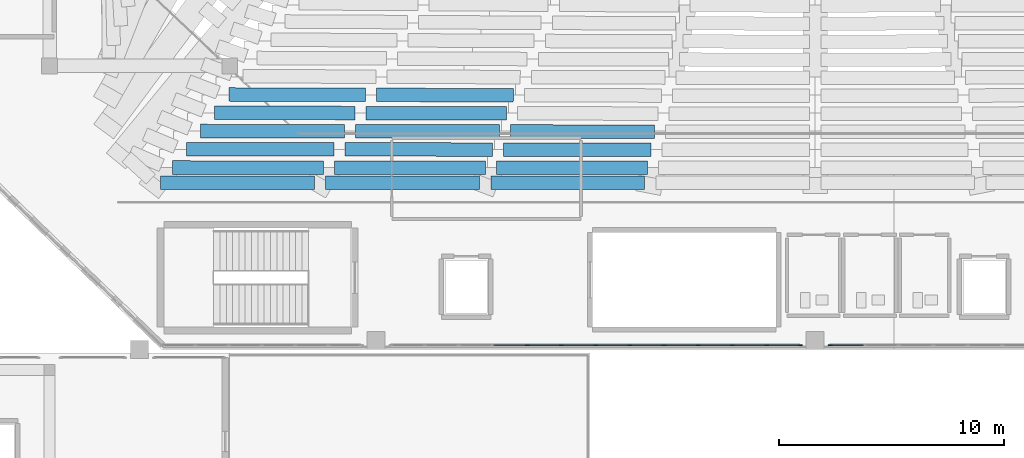
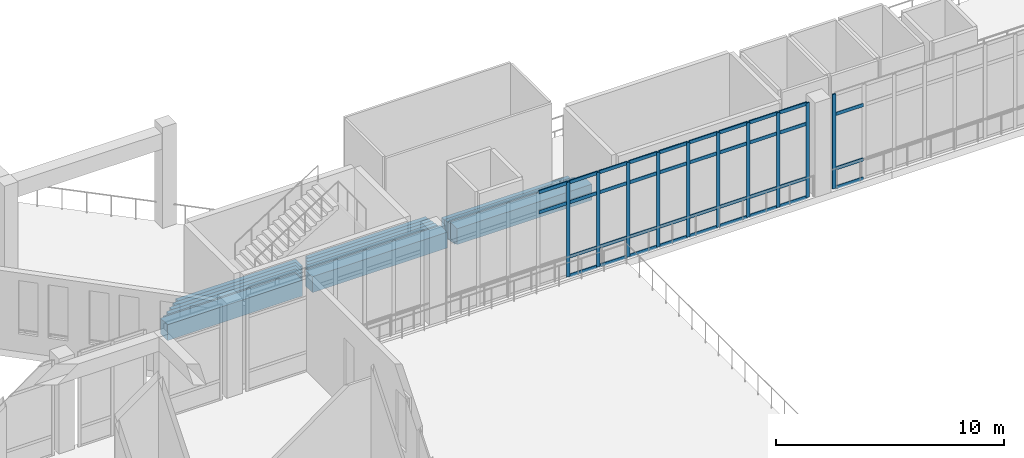
# One storey, part 7 of 55: 47 members, 16 beams, 2 elements without a shape of their own.
"""IFC4 building model written with IfcOpenShell, lengths in metres."""

from ifc_helpers import new_model, si_unit, derived_unit, direction, frame, origin, origin_2d, place, context, subcontext, project, spatial, rectangle, extrude, material, layer, layer_set, material_profile, profile_set, type_object, element, aggregate, save


model = new_model("IFC4")

# Units and contexts
model_context = context("Model", 3, precision=1e-05, world=origin(), true_north=direction((0.0, 1.0)))
body_context = subcontext(model_context, "Body", "Model", "MODEL_VIEW")
ifc_project = project(units=[si_unit("LENGTHUNIT", "METRE"), si_unit("AREAUNIT", "SQUARE_METRE"), si_unit("VOLUMEUNIT", "CUBIC_METRE"), si_unit("PLANEANGLEUNIT", "RADIAN"), si_unit("MASSUNIT", "GRAM", prefix="KILO"), derived_unit("THERMALTRANSMITTANCEUNIT", [(si_unit("MASSUNIT", "GRAM", prefix="KILO"), 1), (si_unit("TIMEUNIT", "SECOND"), -3), (si_unit("THERMODYNAMICTEMPERATUREUNIT", "KELVIN"), -1)])], contexts=[model_context])

# Site, building, storey
site_placement = place(None, origin())
site = spatial("IfcSite", under=ifc_project, at=site_placement, CompositionType="ELEMENT")
building_placement = place(site_placement, origin())
building = spatial("IfcBuilding", under=site, at=building_placement, Name="Valcora Ridge Arena", CompositionType="ELEMENT")
storey_placement = place(building_placement, frame((0.0, 0.0, 21.0)))
storey = spatial("IfcBuildingStorey", under=building, at=storey_placement, Name="L04", CompositionType="ELEMENT", Elevation=21.0)

# Beams
ifc_material_1 = material(Name="Concrete C40/50", Category="concrete")
ifc_material_profile_1 = material_profile(ifc_material_1, rectangle(XDim=0.60009765625, YDim=0.85009765625, at=origin_2d()), Name="RC 600x850")
ifc_profile_set_1 = profile_set([ifc_material_profile_1], Name="Concrete C40/50")
beam_type = type_object("IfcBeamType", Name="TY-BEAM-B-RC600-X", PredefinedType="BEAM", material=ifc_profile_set_1)
beam_1_placement = place(storey_placement, frame((31.961181640625, 31.332275390625, -3.905029296875), z_axis=(0.999996573576, -0.002617792077, 0.0), x_axis=(0.002617792077, 0.999996573576, 0.0)))
element("IfcBeam", 1, at=beam_1_placement, inside=storey, type_object=beam_type, Name="B-RC600-X BEM-RU3-B-RC600-X-0368", PredefinedType="BEAM", context=body_context, shape_type="SweptSolid", body=[
    extrude(rectangle(XDim=0.60009765625, YDim=0.85009765625, at=origin_2d()), origin(), (0.0, 0.0, 1.0), 6.06201171875),
])
beam_2_placement = place(storey_placement, frame((38.523193359375, 31.31494140625, -3.905029296875), z_axis=(0.999996581566, -0.002614738236, 0.0), x_axis=(0.002614738236, 0.999996581566, 0.0)))
element("IfcBeam", 2, at=beam_2_placement, inside=storey, type_object=beam_type, Name="B-RC600-X BEM-RU3-B-RC600-X-0369", PredefinedType="BEAM", context=body_context, shape_type="SweptSolid", body=[
    extrude(rectangle(XDim=0.60009765625, YDim=0.85009765625, at=origin_2d()), origin(), (0.0, 0.0, 1.0), 6.069091796875),
])
beam_3_placement = place(storey_placement, frame((31.335693359375, 30.521728515625, -3.425048828125), z_axis=(0.999997836676, -0.002080058294, 0.0), x_axis=(0.002080058294, 0.999997836676, 0.0)))
element("IfcBeam", 3, at=beam_3_placement, inside=storey, type_object=beam_type, Name="B-RC600-X BEM-RU3-B-RC600-X-0398", PredefinedType="BEAM", context=body_context, shape_type="SweptSolid", body=[
    extrude(rectangle(XDim=0.60009765625, YDim=0.85009765625, at=origin_2d()), origin(), (0.0, 0.0, 1.0), 6.220703125),
])
beam_4_placement = place(storey_placement, frame((38.056396484375, 30.5078125, -3.425048828125), z_axis=(0.999997920969, -0.002039131481, 0.0), x_axis=(0.002039131481, 0.999997920969, 0.0)))
element("IfcBeam", 4, at=beam_4_placement, inside=storey, type_object=beam_type, Name="B-RC600-X BEM-RU3-B-RC600-X-0399", PredefinedType="BEAM", context=body_context, shape_type="SweptSolid", body=[
    extrude(rectangle(XDim=0.60009765625, YDim=0.85009765625, at=origin_2d()), origin(), (0.0, 0.0, 1.0), 6.225830078125),
])
beam_5_placement = place(storey_placement, frame((30.71044921875, 29.711181640625, -2.945068359375), z_axis=(0.999998885998, -0.001492649899, 0.0), x_axis=(0.001492649899, 0.999998885998, 0.0)))
element("IfcBeam", 5, at=beam_5_placement, inside=storey, type_object=beam_type, Name="B-RC600-X BEM-RU3-B-RC600-X-0430", PredefinedType="BEAM", context=body_context, shape_type="SweptSolid", body=[
    extrude(rectangle(XDim=0.60009765625, YDim=0.85009765625, at=origin_2d()), origin(), (0.0, 0.0, 1.0), 6.37890625),
])
beam_6_placement = place(storey_placement, frame((37.58935546875, 29.700927734375, -2.945068359375), z_axis=(0.999998887361, -0.001491736406, 0.0), x_axis=(0.001491736406, 0.999998887361, 0.0)))
element("IfcBeam", 6, at=beam_6_placement, inside=storey, type_object=beam_type, Name="B-RC600-X BEM-RU3-B-RC600-X-0431", PredefinedType="BEAM", context=body_context, shape_type="SweptSolid", body=[
    extrude(rectangle(XDim=0.60009765625, YDim=0.85009765625, at=origin_2d()), origin(), (0.0, 0.0, 1.0), 6.3828125),
])
beam_7_placement = place(storey_placement, frame((44.47216796875, 29.690673828125, -2.945068359375), z_axis=(0.999999342589, -0.00114665674, 0.0), x_axis=(0.00114665674, 0.999999342589, 0.0)))
element("IfcBeam", 7, at=beam_7_placement, inside=storey, type_object=beam_type, Name="B-RC600-X BEM-RU3-B-RC600-X-0432", PredefinedType="BEAM", context=body_context, shape_type="SweptSolid", body=[
    extrude(rectangle(XDim=0.60009765625, YDim=0.85009765625, at=origin_2d()), origin(), (0.0, 0.0, 1.0), 6.387451171875),
])
beam_8_placement = place(storey_placement, frame((30.085205078125, 28.90087890625, -2.465087890625), z_axis=(0.9999994916, -0.001008365188, 0.0), x_axis=(0.001008365188, 0.9999994916, 0.0)))
element("IfcBeam", 8, at=beam_8_placement, inside=storey, type_object=beam_type, Name="B-RC600-X BEM-RU3-B-RC600-X-0462", PredefinedType="BEAM", context=body_context, shape_type="SweptSolid", body=[
    extrude(rectangle(XDim=0.60009765625, YDim=0.85009765625, at=origin_2d()), origin(), (0.0, 0.0, 1.0), 6.537109375),
])
beam_9_placement = place(storey_placement, frame((37.122314453125, 28.893798828125, -2.465087890625), z_axis=(0.999999528949, -0.00097061962, 0.0), x_axis=(0.00097061962, 0.999999528949, 0.0)))
element("IfcBeam", 9, at=beam_9_placement, inside=storey, type_object=beam_type, Name="B-RC600-X BEM-RU3-B-RC600-X-0463", PredefinedType="BEAM", context=body_context, shape_type="SweptSolid", body=[
    extrude(rectangle(XDim=0.60009765625, YDim=0.85009765625, at=origin_2d()), origin(), (0.0, 0.0, 1.0), 6.539794921875),
])
beam_10_placement = place(storey_placement, frame((44.162109375, 28.88720703125, -2.465087890625), z_axis=(0.999999693, -0.000783581849, 0.0), x_axis=(0.000783581849, 0.999999693, 0.0)))
element("IfcBeam", 10, at=beam_10_placement, inside=storey, type_object=beam_type, Name="B-RC600-X BEM-RU3-B-RC600-X-0464", PredefinedType="BEAM", context=body_context, shape_type="SweptSolid", body=[
    extrude(rectangle(XDim=0.60009765625, YDim=0.85009765625, at=origin_2d()), origin(), (0.0, 0.0, 1.0), 6.54296875),
])
beam_11_placement = place(storey_placement, frame((29.459716796875, 28.09033203125, -1.985107421875), z_axis=(0.999999887653, -0.000474020001, 0.0), x_axis=(0.000474020001, 0.999999887653, 0.0)))
element("IfcBeam", 11, at=beam_11_placement, inside=storey, type_object=beam_type, Name="B-RC600-X BEM-RU3-B-RC600-X-0494", PredefinedType="BEAM", context=body_context, shape_type="SweptSolid", body=[
    extrude(rectangle(XDim=0.60009765625, YDim=0.85009765625, at=origin_2d()), origin(), (0.0, 0.0, 1.0), 6.695556640625),
])
beam_12_placement = place(storey_placement, frame((36.6552734375, 28.0869140625, -1.985107421875), z_axis=(0.999999887702, -0.000473916319, 0.0), x_axis=(0.000473916319, 0.999999887702, 0.0)))
element("IfcBeam", 12, at=beam_12_placement, inside=storey, type_object=beam_type, Name="B-RC600-X BEM-RU3-B-RC600-X-0495", PredefinedType="BEAM", context=body_context, shape_type="SweptSolid", body=[
    extrude(rectangle(XDim=0.60009765625, YDim=0.85009765625, at=origin_2d()), origin(), (0.0, 0.0, 1.0), 6.697021484375),
])
beam_13_placement = place(storey_placement, frame((43.852294921875, 28.08349609375, -1.985107421875), z_axis=(0.999999933575, -0.000364484595, 0.0), x_axis=(0.000364484595, 0.999999933575, 0.0)))
element("IfcBeam", 13, at=beam_13_placement, inside=storey, type_object=beam_type, Name="B-RC600-X BEM-RU3-B-RC600-X-0496", PredefinedType="BEAM", context=body_context, shape_type="SweptSolid", body=[
    extrude(rectangle(XDim=0.60009765625, YDim=0.85009765625, at=origin_2d()), origin(), (0.0, 0.0, 1.0), 6.6982421875),
])
beam_14_placement = place(storey_placement, frame((28.93115234375, 27.4052734375, -1.5048828125), z_axis=(0.999999892081, 0.000464584326, 0.0), x_axis=(-0.000464584326, 0.999999892081, 0.0)))
element("IfcBeam", 14, at=beam_14_placement, inside=storey, type_object=beam_type, Name="B-RC600-X BEM-RU3-B-RC600-X-0526", PredefinedType="BEAM", context=body_context, shape_type="SweptSolid", body=[
    extrude(rectangle(XDim=0.60009765625, YDim=0.85009765625, at=origin_2d()), origin(), (0.0, 0.0, 1.0), 6.83154296875),
])
beam_15_placement = place(storey_placement, frame((36.2626953125, 27.40869140625, -1.5048828125), z_axis=(0.999999922705, 0.000393180082, 0.0), x_axis=(-0.000393180082, 0.999999922705, 0.0)))
element("IfcBeam", 15, at=beam_15_placement, inside=storey, type_object=beam_type, Name="B-RC600-X BEM-RU3-B-RC600-X-0527", PredefinedType="BEAM", context=body_context, shape_type="SweptSolid", body=[
    extrude(rectangle(XDim=0.60009765625, YDim=0.85009765625, at=origin_2d()), origin(), (0.0, 0.0, 1.0), 6.830322265625),
])
beam_16_placement = place(storey_placement, frame((43.593017578125, 27.41162109375, -1.5048828125), z_axis=(0.999999959099, 0.000286010499, 0.0), x_axis=(-0.000286010499, 0.999999959099, 0.0)))
element("IfcBeam", 16, at=beam_16_placement, inside=storey, type_object=beam_type, Name="B-RC600-X BEM-RU3-B-RC600-X-0528", PredefinedType="BEAM", context=body_context, shape_type="SweptSolid", body=[
    extrude(rectangle(XDim=0.60009765625, YDim=0.85009765625, at=origin_2d()), origin(), (0.0, 0.0, 1.0), 6.828857421875),
])

# Curtain wall, members
ifc_material_2 = material(Name="Anodised dark bronze architectural aluminium 6063-T6", Category="aluminium")
ifc_layer_1 = layer(ifc_material_2, 0.179931640625, Name="Anodised dark bronze architectural aluminium 6063-T6")
ifc_layer_set_1 = layer_set([ifc_layer_1], Name="Anodised dark bronze architectural aluminium 6063-T6")
curtain_wall_type_1 = type_object("IfcCurtainWallType", Name="TY-CURTAINWALL-CW-V1-GOTH-182X51", PredefinedType="NOTDEFINED", material=ifc_layer_set_1)
curtain_wall_1_placement = place(storey_placement, origin())
curtain_wall_1 = element("IfcCurtainWall", 17, at=curtain_wall_1_placement, inside=storey, type_object=curtain_wall_type_1, Name="CW-V1-GOTH-182X51 CW-0154", PredefinedType="NOTDEFINED")
ifc_material_profile_2 = material_profile(ifc_material_2, rectangle(XDim=0.06005859375, YDim=0.179931640625, at=origin_2d()), Name="ALU MULLION 60x180")
ifc_profile_set_2 = profile_set([ifc_material_profile_2], Name="Anodised dark bronze architectural aluminium 6063-T6")
member_type_1 = type_object("IfcMemberType", Name="TY-MEM-CWM-60x180", PredefinedType="MULLION", material=ifc_profile_set_2)
member_1_placement = place(storey_placement, frame((45.21337890625, 20.199951171875, 0.0), z_axis=(0.0, 0.0, 1.0), x_axis=(0.0, 1.0, 0.0)))
member_1 = element("IfcMember", 18, at=member_1_placement, type_object=member_type_1, Name="CW-0154/CWM-60x180/M04", PredefinedType="MULLION", context=body_context, shape_type="SweptSolid", body=[
    extrude(rectangle(XDim=0.06005859375, YDim=0.179931640625, at=origin_2d()), origin(), (0.0, 0.0, 1.0), 5.06005859375),
])
member_2_placement = place(storey_placement, frame((46.731689453125, 20.199951171875, 0.0), z_axis=(0.0, 0.0, 1.0), x_axis=(0.0, 1.0, 0.0)))
member_2 = element("IfcMember", 19, at=member_2_placement, type_object=member_type_1, Name="CW-0154/CWM-60x180/M05", PredefinedType="MULLION", context=body_context, shape_type="SweptSolid", body=[
    extrude(rectangle(XDim=0.06005859375, YDim=0.179931640625, at=origin_2d()), origin(), (0.0, 0.0, 1.0), 5.06005859375),
])
member_3_placement = place(storey_placement, frame((48.25, 20.199951171875, 0.0), z_axis=(0.0, 0.0, 1.0), x_axis=(0.0, 1.0, 0.0)))
member_3 = element("IfcMember", 20, at=member_3_placement, type_object=member_type_1, Name="CW-0154/CWM-60x180/M06", PredefinedType="MULLION", context=body_context, shape_type="SweptSolid", body=[
    extrude(rectangle(XDim=0.06005859375, YDim=0.179931640625, at=origin_2d()), origin(), (0.0, 0.0, 1.0), 5.06005859375),
])
member_4_placement = place(storey_placement, frame((49.768310546875, 20.199951171875, 0.0), z_axis=(0.0, 0.0, 1.0), x_axis=(0.0, 1.0, 0.0)))
member_4 = element("IfcMember", 21, at=member_4_placement, type_object=member_type_1, Name="CW-0154/CWM-60x180/M07", PredefinedType="MULLION", context=body_context, shape_type="SweptSolid", body=[
    extrude(rectangle(XDim=0.06005859375, YDim=0.179931640625, at=origin_2d()), origin(), (0.0, 0.0, 1.0), 5.06005859375),
])
member_5_placement = place(storey_placement, frame((51.28662109375, 20.199951171875, 0.0), z_axis=(0.0, 0.0, 1.0), x_axis=(0.0, 1.0, 0.0)))
member_5 = element("IfcMember", 22, at=member_5_placement, type_object=member_type_1, Name="CW-0154/CWM-60x180/M08", PredefinedType="MULLION", context=body_context, shape_type="SweptSolid", body=[
    extrude(rectangle(XDim=0.06005859375, YDim=0.179931640625, at=origin_2d()), origin(), (0.0, 0.0, 1.0), 5.06005859375),
])
member_6_placement = place(storey_placement, frame((52.804931640625, 20.199951171875, 0.0), z_axis=(0.0, 0.0, 1.0), x_axis=(0.0, 1.0, 0.0)))
member_6 = element("IfcMember", 23, at=member_6_placement, type_object=member_type_1, Name="CW-0154/CWM-60x180/M09", PredefinedType="MULLION", context=body_context, shape_type="SweptSolid", body=[
    extrude(rectangle(XDim=0.06005859375, YDim=0.179931640625, at=origin_2d()), origin(), (0.0, 0.0, 1.0), 5.06005859375),
])
member_7_placement = place(storey_placement, frame((54.3232421875, 20.199951171875, 0.0), z_axis=(0.0, 0.0, 1.0), x_axis=(0.0, 1.0, 0.0)))
member_7 = element("IfcMember", 24, at=member_7_placement, type_object=member_type_1, Name="CW-0154/CWM-60x180/M10", PredefinedType="MULLION", context=body_context, shape_type="SweptSolid", body=[
    extrude(rectangle(XDim=0.06005859375, YDim=0.179931640625, at=origin_2d()), origin(), (0.0, 0.0, 1.0), 5.06005859375),
])
member_8_placement = place(storey_placement, frame((55.841796875, 20.199951171875, 0.0), z_axis=(0.0, 0.0, 1.0), x_axis=(0.0, 1.0, 0.0)))
member_8 = element("IfcMember", 25, at=member_8_placement, type_object=member_type_1, Name="CW-0154/CWM-60x180/M11", PredefinedType="MULLION", context=body_context, shape_type="SweptSolid", body=[
    extrude(rectangle(XDim=0.06005859375, YDim=0.179931640625, at=origin_2d()), origin(), (0.0, 0.0, 1.0), 5.06005859375),
])
member_9_placement = place(storey_placement, frame((57.330078125, 20.199951171875, 0.0), z_axis=(0.0, 0.0, 1.0), x_axis=(0.0, 1.0, 0.0)))
member_9 = element("IfcMember", 26, at=member_9_placement, type_object=member_type_1, Name="CW-0154/CWM-60x180/M12", PredefinedType="MULLION", context=body_context, shape_type="SweptSolid", body=[
    extrude(rectangle(XDim=0.06005859375, YDim=0.179931640625, at=origin_2d()), origin(), (0.0, 0.0, 1.0), 5.06005859375),
])

# Curtain wall, member
ifc_layer_2 = layer(ifc_material_2, 0.179931640625, Name="Anodised dark bronze architectural aluminium 6063-T6")
ifc_layer_set_2 = layer_set([ifc_layer_2], Name="Anodised dark bronze architectural aluminium 6063-T6")
curtain_wall_type_2 = type_object("IfcCurtainWallType", Name="TY-CURTAINWALL-CW-V1-GOTH-107X51", PredefinedType="NOTDEFINED", material=ifc_layer_set_2)
curtain_wall_2_placement = place(storey_placement, origin())
curtain_wall_2 = element("IfcCurtainWall", 27, at=curtain_wall_2_placement, inside=storey, type_object=curtain_wall_type_2, Name="CW-V1-GOTH-107X51 CW-0155", PredefinedType="NOTDEFINED")
member_10_placement = place(storey_placement, frame((58.669921875, 20.199951171875, 0.0), z_axis=(0.0, 0.0, 1.0), x_axis=(0.0, 1.0, 0.0)))
member_10 = element("IfcMember", 28, at=member_10_placement, type_object=member_type_1, Name="CW-0155/CWM-60x180/M00", PredefinedType="MULLION", context=body_context, shape_type="SweptSolid", body=[
    extrude(rectangle(XDim=0.06005859375, YDim=0.179931640625, at=origin_2d()), origin(), (0.0, 0.0, 1.0), 5.06005859375),
])

# Member
ifc_material_profile_3 = material_profile(ifc_material_2, rectangle(XDim=0.06005859375, YDim=0.179931640625, at=origin_2d()), Name="ALU TRANSOM 60x180")
ifc_profile_set_3 = profile_set([ifc_material_profile_3], Name="Anodised dark bronze architectural aluminium 6063-T6")
member_type_2 = type_object("IfcMemberType", Name="TY-MEM-CWT-60x180", PredefinedType="USERDEFINED", material=ifc_profile_set_3)
member_11_placement = place(storey_placement, frame((43.72509765625, 20.199951171875, 3.9599609375), z_axis=(1.0, 0.0, 0.0), x_axis=(0.0, 1.0, 0.0)))
member_11 = element("IfcMember", 29, at=member_11_placement, type_object=member_type_2, Name="CW-0154/CWT-60x180/T03-02", ObjectType="TRANSOM", PredefinedType="USERDEFINED", context=body_context, shape_type="SweptSolid", body=[
    extrude(rectangle(XDim=0.06005859375, YDim=0.179931640625, at=origin_2d()), origin(), (0.0, 0.0, 1.0), 1.4580078125),
])

member_12_placement = place(storey_placement, frame((43.72509765625, 20.199951171875, 5.030029296875), z_axis=(1.0, 0.0, 0.0), x_axis=(0.0, 1.0, 0.0)))
member_12 = element("IfcMember", 30, at=member_12_placement, type_object=member_type_2, Name="CW-0154/CWT-60x180/T03-03", ObjectType="TRANSOM", PredefinedType="USERDEFINED", context=body_context, shape_type="SweptSolid", body=[
    extrude(rectangle(XDim=0.06005859375, YDim=0.179931640625, at=origin_2d()), origin(), (0.0, 0.0, 1.0), 1.4580078125),
])

member_13_placement = place(storey_placement, frame((45.242919921875, 20.199951171875, 0.030029296875), z_axis=(1.0, 0.0, 0.0), x_axis=(0.0, 1.0, 0.0)))
member_13 = element("IfcMember", 31, at=member_13_placement, type_object=member_type_2, Name="CW-0154/CWT-60x180/T04-00", ObjectType="TRANSOM", PredefinedType="USERDEFINED", context=body_context, shape_type="SweptSolid", body=[
    extrude(rectangle(XDim=0.06005859375, YDim=0.179931640625, at=origin_2d()), origin(), (0.0, 0.0, 1.0), 1.458984375),
])

member_14_placement = place(storey_placement, frame((45.242919921875, 20.199951171875, 1.050048828125), z_axis=(1.0, 0.0, 0.0), x_axis=(0.0, 1.0, 0.0)))
member_14 = element("IfcMember", 32, at=member_14_placement, type_object=member_type_2, Name="CW-0154/CWT-60x180/T04-01", ObjectType="TRANSOM", PredefinedType="USERDEFINED", context=body_context, shape_type="SweptSolid", body=[
    extrude(rectangle(XDim=0.06005859375, YDim=0.179931640625, at=origin_2d()), origin(), (0.0, 0.0, 1.0), 1.458984375),
])

member_15_placement = place(storey_placement, frame((45.242919921875, 20.199951171875, 3.9599609375), z_axis=(1.0, 0.0, 0.0), x_axis=(0.0, 1.0, 0.0)))
member_15 = element("IfcMember", 33, at=member_15_placement, type_object=member_type_2, Name="CW-0154/CWT-60x180/T04-02", ObjectType="TRANSOM", PredefinedType="USERDEFINED", context=body_context, shape_type="SweptSolid", body=[
    extrude(rectangle(XDim=0.06005859375, YDim=0.179931640625, at=origin_2d()), origin(), (0.0, 0.0, 1.0), 1.458984375),
])

member_16_placement = place(storey_placement, frame((45.242919921875, 20.199951171875, 5.030029296875), z_axis=(1.0, 0.0, 0.0), x_axis=(0.0, 1.0, 0.0)))
member_16 = element("IfcMember", 34, at=member_16_placement, type_object=member_type_2, Name="CW-0154/CWT-60x180/T04-03", ObjectType="TRANSOM", PredefinedType="USERDEFINED", context=body_context, shape_type="SweptSolid", body=[
    extrude(rectangle(XDim=0.06005859375, YDim=0.179931640625, at=origin_2d()), origin(), (0.0, 0.0, 1.0), 1.458984375),
])

member_17_placement = place(storey_placement, frame((46.761962890625, 20.199951171875, 0.030029296875), z_axis=(1.0, 0.0, 0.0), x_axis=(0.0, 1.0, 0.0)))
member_17 = element("IfcMember", 35, at=member_17_placement, type_object=member_type_2, Name="CW-0154/CWT-60x180/T05-00", ObjectType="TRANSOM", PredefinedType="USERDEFINED", context=body_context, shape_type="SweptSolid", body=[
    extrude(rectangle(XDim=0.06005859375, YDim=0.179931640625, at=origin_2d()), origin(), (0.0, 0.0, 1.0), 1.4580078125),
])

member_18_placement = place(storey_placement, frame((46.761962890625, 20.199951171875, 1.050048828125), z_axis=(1.0, 0.0, 0.0), x_axis=(0.0, 1.0, 0.0)))
member_18 = element("IfcMember", 36, at=member_18_placement, type_object=member_type_2, Name="CW-0154/CWT-60x180/T05-01", ObjectType="TRANSOM", PredefinedType="USERDEFINED", context=body_context, shape_type="SweptSolid", body=[
    extrude(rectangle(XDim=0.06005859375, YDim=0.179931640625, at=origin_2d()), origin(), (0.0, 0.0, 1.0), 1.4580078125),
])

member_19_placement = place(storey_placement, frame((46.761962890625, 20.199951171875, 3.9599609375), z_axis=(1.0, 0.0, 0.0), x_axis=(0.0, 1.0, 0.0)))
member_19 = element("IfcMember", 37, at=member_19_placement, type_object=member_type_2, Name="CW-0154/CWT-60x180/T05-02", ObjectType="TRANSOM", PredefinedType="USERDEFINED", context=body_context, shape_type="SweptSolid", body=[
    extrude(rectangle(XDim=0.06005859375, YDim=0.179931640625, at=origin_2d()), origin(), (0.0, 0.0, 1.0), 1.4580078125),
])

member_20_placement = place(storey_placement, frame((46.761962890625, 20.199951171875, 5.030029296875), z_axis=(1.0, 0.0, 0.0), x_axis=(0.0, 1.0, 0.0)))
member_20 = element("IfcMember", 38, at=member_20_placement, type_object=member_type_2, Name="CW-0154/CWT-60x180/T05-03", ObjectType="TRANSOM", PredefinedType="USERDEFINED", context=body_context, shape_type="SweptSolid", body=[
    extrude(rectangle(XDim=0.06005859375, YDim=0.179931640625, at=origin_2d()), origin(), (0.0, 0.0, 1.0), 1.4580078125),
])

member_21_placement = place(storey_placement, frame((48.280029296875, 20.199951171875, 0.030029296875), z_axis=(1.0, 0.0, 0.0), x_axis=(0.0, 1.0, 0.0)))
member_21 = element("IfcMember", 39, at=member_21_placement, type_object=member_type_2, Name="CW-0154/CWT-60x180/T06-00", ObjectType="TRANSOM", PredefinedType="USERDEFINED", context=body_context, shape_type="SweptSolid", body=[
    extrude(rectangle(XDim=0.06005859375, YDim=0.179931640625, at=origin_2d()), origin(), (0.0, 0.0, 1.0), 1.4580078125),
])

member_22_placement = place(storey_placement, frame((48.280029296875, 20.199951171875, 1.050048828125), z_axis=(1.0, 0.0, 0.0), x_axis=(0.0, 1.0, 0.0)))
member_22 = element("IfcMember", 40, at=member_22_placement, type_object=member_type_2, Name="CW-0154/CWT-60x180/T06-01", ObjectType="TRANSOM", PredefinedType="USERDEFINED", context=body_context, shape_type="SweptSolid", body=[
    extrude(rectangle(XDim=0.06005859375, YDim=0.179931640625, at=origin_2d()), origin(), (0.0, 0.0, 1.0), 1.4580078125),
])

member_23_placement = place(storey_placement, frame((48.280029296875, 20.199951171875, 3.9599609375), z_axis=(1.0, 0.0, 0.0), x_axis=(0.0, 1.0, 0.0)))
member_23 = element("IfcMember", 41, at=member_23_placement, type_object=member_type_2, Name="CW-0154/CWT-60x180/T06-02", ObjectType="TRANSOM", PredefinedType="USERDEFINED", context=body_context, shape_type="SweptSolid", body=[
    extrude(rectangle(XDim=0.06005859375, YDim=0.179931640625, at=origin_2d()), origin(), (0.0, 0.0, 1.0), 1.4580078125),
])

member_24_placement = place(storey_placement, frame((48.280029296875, 20.199951171875, 5.030029296875), z_axis=(1.0, 0.0, 0.0), x_axis=(0.0, 1.0, 0.0)))
member_24 = element("IfcMember", 42, at=member_24_placement, type_object=member_type_2, Name="CW-0154/CWT-60x180/T06-03", ObjectType="TRANSOM", PredefinedType="USERDEFINED", context=body_context, shape_type="SweptSolid", body=[
    extrude(rectangle(XDim=0.06005859375, YDim=0.179931640625, at=origin_2d()), origin(), (0.0, 0.0, 1.0), 1.4580078125),
])

member_25_placement = place(storey_placement, frame((49.798095703125, 20.199951171875, 0.030029296875), z_axis=(1.0, 0.0, 0.0), x_axis=(0.0, 1.0, 0.0)))
member_25 = element("IfcMember", 43, at=member_25_placement, type_object=member_type_2, Name="CW-0154/CWT-60x180/T07-00", ObjectType="TRANSOM", PredefinedType="USERDEFINED", context=body_context, shape_type="SweptSolid", body=[
    extrude(rectangle(XDim=0.06005859375, YDim=0.179931640625, at=origin_2d()), origin(), (0.0, 0.0, 1.0), 1.458984375),
])

member_26_placement = place(storey_placement, frame((49.798095703125, 20.199951171875, 1.050048828125), z_axis=(1.0, 0.0, 0.0), x_axis=(0.0, 1.0, 0.0)))
member_26 = element("IfcMember", 44, at=member_26_placement, type_object=member_type_2, Name="CW-0154/CWT-60x180/T07-01", ObjectType="TRANSOM", PredefinedType="USERDEFINED", context=body_context, shape_type="SweptSolid", body=[
    extrude(rectangle(XDim=0.06005859375, YDim=0.179931640625, at=origin_2d()), origin(), (0.0, 0.0, 1.0), 1.458984375),
])

member_27_placement = place(storey_placement, frame((49.798095703125, 20.199951171875, 3.9599609375), z_axis=(1.0, 0.0, 0.0), x_axis=(0.0, 1.0, 0.0)))
member_27 = element("IfcMember", 45, at=member_27_placement, type_object=member_type_2, Name="CW-0154/CWT-60x180/T07-02", ObjectType="TRANSOM", PredefinedType="USERDEFINED", context=body_context, shape_type="SweptSolid", body=[
    extrude(rectangle(XDim=0.06005859375, YDim=0.179931640625, at=origin_2d()), origin(), (0.0, 0.0, 1.0), 1.458984375),
])

member_28_placement = place(storey_placement, frame((49.798095703125, 20.199951171875, 5.030029296875), z_axis=(1.0, 0.0, 0.0), x_axis=(0.0, 1.0, 0.0)))
member_28 = element("IfcMember", 46, at=member_28_placement, type_object=member_type_2, Name="CW-0154/CWT-60x180/T07-03", ObjectType="TRANSOM", PredefinedType="USERDEFINED", context=body_context, shape_type="SweptSolid", body=[
    extrude(rectangle(XDim=0.06005859375, YDim=0.179931640625, at=origin_2d()), origin(), (0.0, 0.0, 1.0), 1.458984375),
])

member_29_placement = place(storey_placement, frame((51.31689453125, 20.199951171875, 0.030029296875), z_axis=(1.0, 0.0, 0.0), x_axis=(0.0, 1.0, 0.0)))
member_29 = element("IfcMember", 47, at=member_29_placement, type_object=member_type_2, Name="CW-0154/CWT-60x180/T08-00", ObjectType="TRANSOM", PredefinedType="USERDEFINED", context=body_context, shape_type="SweptSolid", body=[
    extrude(rectangle(XDim=0.06005859375, YDim=0.179931640625, at=origin_2d()), origin(), (0.0, 0.0, 1.0), 1.4580078125),
])

member_30_placement = place(storey_placement, frame((51.31689453125, 20.199951171875, 1.050048828125), z_axis=(1.0, 0.0, 0.0), x_axis=(0.0, 1.0, 0.0)))
member_30 = element("IfcMember", 48, at=member_30_placement, type_object=member_type_2, Name="CW-0154/CWT-60x180/T08-01", ObjectType="TRANSOM", PredefinedType="USERDEFINED", context=body_context, shape_type="SweptSolid", body=[
    extrude(rectangle(XDim=0.06005859375, YDim=0.179931640625, at=origin_2d()), origin(), (0.0, 0.0, 1.0), 1.4580078125),
])

member_31_placement = place(storey_placement, frame((51.31689453125, 20.199951171875, 3.9599609375), z_axis=(1.0, 0.0, 0.0), x_axis=(0.0, 1.0, 0.0)))
member_31 = element("IfcMember", 49, at=member_31_placement, type_object=member_type_2, Name="CW-0154/CWT-60x180/T08-02", ObjectType="TRANSOM", PredefinedType="USERDEFINED", context=body_context, shape_type="SweptSolid", body=[
    extrude(rectangle(XDim=0.06005859375, YDim=0.179931640625, at=origin_2d()), origin(), (0.0, 0.0, 1.0), 1.4580078125),
])

member_32_placement = place(storey_placement, frame((51.31689453125, 20.199951171875, 5.030029296875), z_axis=(1.0, 0.0, 0.0), x_axis=(0.0, 1.0, 0.0)))
member_32 = element("IfcMember", 50, at=member_32_placement, type_object=member_type_2, Name="CW-0154/CWT-60x180/T08-03", ObjectType="TRANSOM", PredefinedType="USERDEFINED", context=body_context, shape_type="SweptSolid", body=[
    extrude(rectangle(XDim=0.06005859375, YDim=0.179931640625, at=origin_2d()), origin(), (0.0, 0.0, 1.0), 1.4580078125),
])

member_33_placement = place(storey_placement, frame((52.8349609375, 20.199951171875, 0.030029296875), z_axis=(1.0, 0.0, 0.0), x_axis=(0.0, 1.0, 0.0)))
member_33 = element("IfcMember", 51, at=member_33_placement, type_object=member_type_2, Name="CW-0154/CWT-60x180/T09-00", ObjectType="TRANSOM", PredefinedType="USERDEFINED", context=body_context, shape_type="SweptSolid", body=[
    extrude(rectangle(XDim=0.06005859375, YDim=0.179931640625, at=origin_2d()), origin(), (0.0, 0.0, 1.0), 1.4580078125),
])

member_34_placement = place(storey_placement, frame((52.8349609375, 20.199951171875, 1.050048828125), z_axis=(1.0, 0.0, 0.0), x_axis=(0.0, 1.0, 0.0)))
member_34 = element("IfcMember", 52, at=member_34_placement, type_object=member_type_2, Name="CW-0154/CWT-60x180/T09-01", ObjectType="TRANSOM", PredefinedType="USERDEFINED", context=body_context, shape_type="SweptSolid", body=[
    extrude(rectangle(XDim=0.06005859375, YDim=0.179931640625, at=origin_2d()), origin(), (0.0, 0.0, 1.0), 1.4580078125),
])

member_35_placement = place(storey_placement, frame((52.8349609375, 20.199951171875, 3.9599609375), z_axis=(1.0, 0.0, 0.0), x_axis=(0.0, 1.0, 0.0)))
member_35 = element("IfcMember", 53, at=member_35_placement, type_object=member_type_2, Name="CW-0154/CWT-60x180/T09-02", ObjectType="TRANSOM", PredefinedType="USERDEFINED", context=body_context, shape_type="SweptSolid", body=[
    extrude(rectangle(XDim=0.06005859375, YDim=0.179931640625, at=origin_2d()), origin(), (0.0, 0.0, 1.0), 1.4580078125),
])

member_36_placement = place(storey_placement, frame((52.8349609375, 20.199951171875, 5.030029296875), z_axis=(1.0, 0.0, 0.0), x_axis=(0.0, 1.0, 0.0)))
member_36 = element("IfcMember", 54, at=member_36_placement, type_object=member_type_2, Name="CW-0154/CWT-60x180/T09-03", ObjectType="TRANSOM", PredefinedType="USERDEFINED", context=body_context, shape_type="SweptSolid", body=[
    extrude(rectangle(XDim=0.06005859375, YDim=0.179931640625, at=origin_2d()), origin(), (0.0, 0.0, 1.0), 1.4580078125),
])

member_37_placement = place(storey_placement, frame((54.35302734375, 20.199951171875, 0.030029296875), z_axis=(1.0, 0.0, 0.0), x_axis=(0.0, 1.0, 0.0)))
member_37 = element("IfcMember", 55, at=member_37_placement, type_object=member_type_2, Name="CW-0154/CWT-60x180/T10-00", ObjectType="TRANSOM", PredefinedType="USERDEFINED", context=body_context, shape_type="SweptSolid", body=[
    extrude(rectangle(XDim=0.06005859375, YDim=0.179931640625, at=origin_2d()), origin(), (0.0, 0.0, 1.0), 1.458984375),
])

member_38_placement = place(storey_placement, frame((54.35302734375, 20.199951171875, 1.050048828125), z_axis=(1.0, 0.0, 0.0), x_axis=(0.0, 1.0, 0.0)))
member_38 = element("IfcMember", 56, at=member_38_placement, type_object=member_type_2, Name="CW-0154/CWT-60x180/T10-01", ObjectType="TRANSOM", PredefinedType="USERDEFINED", context=body_context, shape_type="SweptSolid", body=[
    extrude(rectangle(XDim=0.06005859375, YDim=0.179931640625, at=origin_2d()), origin(), (0.0, 0.0, 1.0), 1.458984375),
])

member_39_placement = place(storey_placement, frame((54.35302734375, 20.199951171875, 3.9599609375), z_axis=(1.0, 0.0, 0.0), x_axis=(0.0, 1.0, 0.0)))
member_39 = element("IfcMember", 57, at=member_39_placement, type_object=member_type_2, Name="CW-0154/CWT-60x180/T10-02", ObjectType="TRANSOM", PredefinedType="USERDEFINED", context=body_context, shape_type="SweptSolid", body=[
    extrude(rectangle(XDim=0.06005859375, YDim=0.179931640625, at=origin_2d()), origin(), (0.0, 0.0, 1.0), 1.458984375),
])

member_40_placement = place(storey_placement, frame((54.35302734375, 20.199951171875, 5.030029296875), z_axis=(1.0, 0.0, 0.0), x_axis=(0.0, 1.0, 0.0)))
member_40 = element("IfcMember", 58, at=member_40_placement, type_object=member_type_2, Name="CW-0154/CWT-60x180/T10-03", ObjectType="TRANSOM", PredefinedType="USERDEFINED", context=body_context, shape_type="SweptSolid", body=[
    extrude(rectangle(XDim=0.06005859375, YDim=0.179931640625, at=origin_2d()), origin(), (0.0, 0.0, 1.0), 1.458984375),
])

member_41_placement = place(storey_placement, frame((55.8720703125, 20.199951171875, 0.030029296875), z_axis=(1.0, 0.0, 0.0), x_axis=(0.0, 1.0, 0.0)))
member_41 = element("IfcMember", 59, at=member_41_placement, type_object=member_type_2, Name="CW-0154/CWT-60x180/T11-00", ObjectType="TRANSOM", PredefinedType="USERDEFINED", context=body_context, shape_type="SweptSolid", body=[
    extrude(rectangle(XDim=0.06005859375, YDim=0.179931640625, at=origin_2d()), origin(), (0.0, 0.0, 1.0), 1.427978515625),
])

member_42_placement = place(storey_placement, frame((55.8720703125, 20.199951171875, 1.050048828125), z_axis=(1.0, 0.0, 0.0), x_axis=(0.0, 1.0, 0.0)))
member_42 = element("IfcMember", 60, at=member_42_placement, type_object=member_type_2, Name="CW-0154/CWT-60x180/T11-01", ObjectType="TRANSOM", PredefinedType="USERDEFINED", context=body_context, shape_type="SweptSolid", body=[
    extrude(rectangle(XDim=0.06005859375, YDim=0.179931640625, at=origin_2d()), origin(), (0.0, 0.0, 1.0), 1.427978515625),
])

member_43_placement = place(storey_placement, frame((55.8720703125, 20.199951171875, 3.9599609375), z_axis=(1.0, 0.0, 0.0), x_axis=(0.0, 1.0, 0.0)))
member_43 = element("IfcMember", 61, at=member_43_placement, type_object=member_type_2, Name="CW-0154/CWT-60x180/T11-02", ObjectType="TRANSOM", PredefinedType="USERDEFINED", context=body_context, shape_type="SweptSolid", body=[
    extrude(rectangle(XDim=0.06005859375, YDim=0.179931640625, at=origin_2d()), origin(), (0.0, 0.0, 1.0), 1.427978515625),
])

member_44_placement = place(storey_placement, frame((55.8720703125, 20.199951171875, 5.030029296875), z_axis=(1.0, 0.0, 0.0), x_axis=(0.0, 1.0, 0.0)))
member_44 = element("IfcMember", 62, at=member_44_placement, type_object=member_type_2, Name="CW-0154/CWT-60x180/T11-03", ObjectType="TRANSOM", PredefinedType="USERDEFINED", context=body_context, shape_type="SweptSolid", body=[
    extrude(rectangle(XDim=0.06005859375, YDim=0.179931640625, at=origin_2d()), origin(), (0.0, 0.0, 1.0), 1.427978515625),
])

aggregate(curtain_wall_1, [member_1, member_2, member_3, member_4, member_5, member_6, member_7, member_8, member_9, member_11, member_12, member_13, member_14, member_15, member_16, member_17, member_18, member_19, member_20, member_21, member_22, member_23, member_24, member_25, member_26, member_27, member_28, member_29, member_30, member_31, member_32, member_33, member_34, member_35, member_36, member_37, member_38, member_39, member_40, member_41, member_42, member_43, member_44])

member_45_placement = place(storey_placement, frame((58.699951171875, 20.199951171875, 0.030029296875), z_axis=(1.0, 0.0, 0.0), x_axis=(0.0, 1.0, 0.0)))
member_45 = element("IfcMember", 63, at=member_45_placement, type_object=member_type_2, Name="CW-0155/CWT-60x180/T00-00", ObjectType="TRANSOM", PredefinedType="USERDEFINED", context=body_context, shape_type="SweptSolid", body=[
    extrude(rectangle(XDim=0.06005859375, YDim=0.179931640625, at=origin_2d()), origin(), (0.0, 0.0, 1.0), 1.441162109375),
])

member_46_placement = place(storey_placement, frame((58.699951171875, 20.199951171875, 1.050048828125), z_axis=(1.0, 0.0, 0.0), x_axis=(0.0, 1.0, 0.0)))
member_46 = element("IfcMember", 64, at=member_46_placement, type_object=member_type_2, Name="CW-0155/CWT-60x180/T00-01", ObjectType="TRANSOM", PredefinedType="USERDEFINED", context=body_context, shape_type="SweptSolid", body=[
    extrude(rectangle(XDim=0.06005859375, YDim=0.179931640625, at=origin_2d()), origin(), (0.0, 0.0, 1.0), 1.441162109375),
])

member_47_placement = place(storey_placement, frame((58.699951171875, 20.199951171875, 3.9599609375), z_axis=(1.0, 0.0, 0.0), x_axis=(0.0, 1.0, 0.0)))
member_47 = element("IfcMember", 65, at=member_47_placement, type_object=member_type_2, Name="CW-0155/CWT-60x180/T00-02", ObjectType="TRANSOM", PredefinedType="USERDEFINED", context=body_context, shape_type="SweptSolid", body=[
    extrude(rectangle(XDim=0.06005859375, YDim=0.179931640625, at=origin_2d()), origin(), (0.0, 0.0, 1.0), 1.441162109375),
])

aggregate(curtain_wall_2, [member_10, member_45, member_46, member_47])

save(model, "model.ifc")
